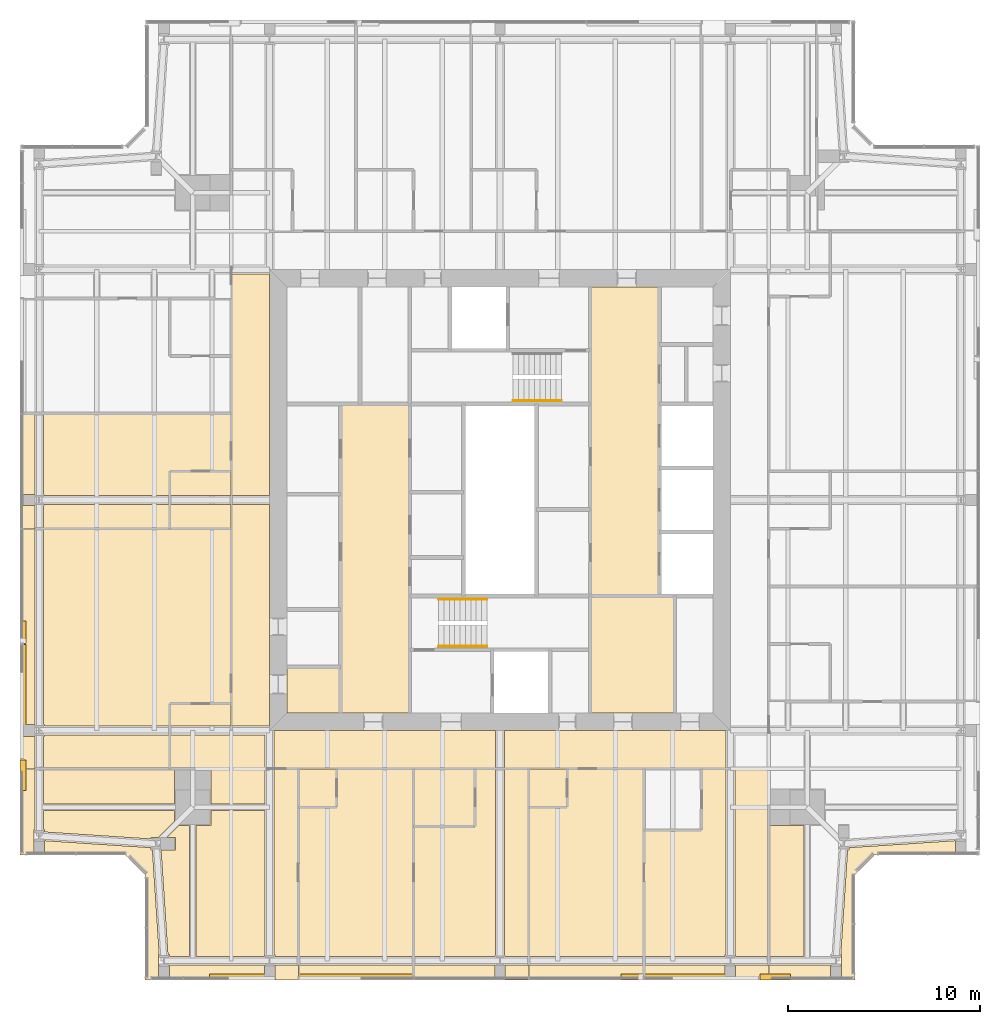
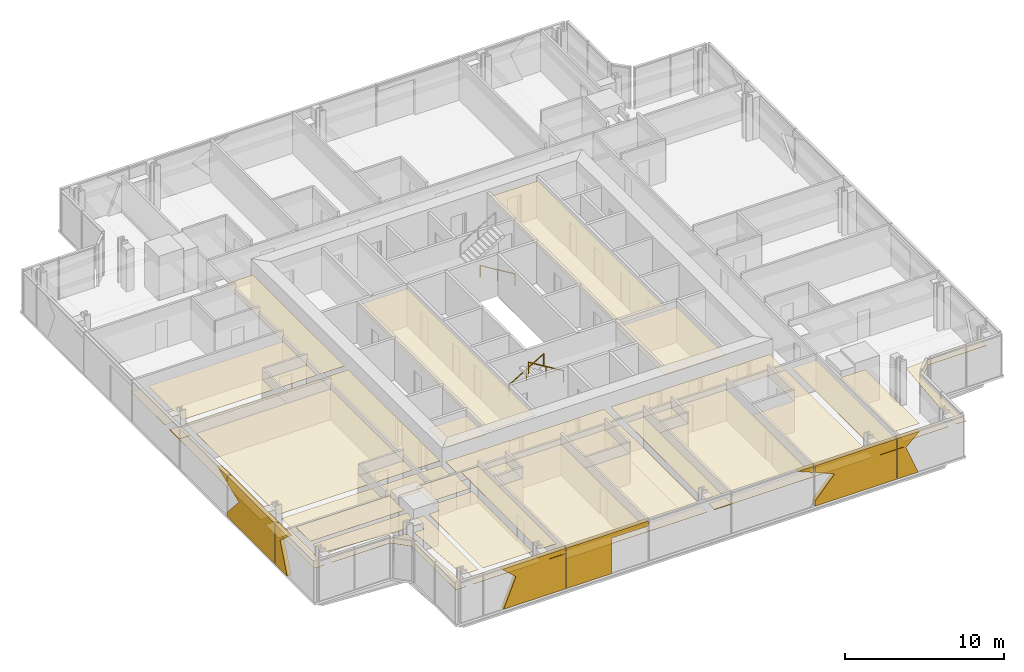
# One storey, part 16 of 18: 57 coverings, 3 railings.
"""IFC4 building model written with IfcOpenShell, lengths in metres."""

from ifc_helpers import new_model, si_unit, direction, frame, origin, origin_2d, place, context, subcontext, project, spatial, polyline, circle, outline, extrude, material, layer, layer_set, type_object, element, save


model = new_model("IFC4")

# Units and contexts
model_context = context("Model", 3, precision=1e-05, world=origin(), true_north=direction((0.0, 1.0)))
body_context = subcontext(model_context, "Body", "Model", "MODEL_VIEW")
ifc_project = project(units=[si_unit("LENGTHUNIT", "METRE"), si_unit("AREAUNIT", "SQUARE_METRE"), si_unit("VOLUMEUNIT", "CUBIC_METRE"), si_unit("PLANEANGLEUNIT", "RADIAN"), si_unit("MASSUNIT", "GRAM", prefix="KILO")], contexts=[model_context])

# Site, building, storey
site_placement = place(None, origin())
site = spatial("IfcSite", under=ifc_project, at=site_placement, CompositionType="ELEMENT")
building_placement = place(site_placement, origin())
building = spatial("IfcBuilding", under=site, at=building_placement, Name="Fenwick Lantern Interchange", CompositionType="ELEMENT")
storey_placement = place(building_placement, frame((0.0, 0.0, 293.39990234375)))
storey = spatial("IfcBuildingStorey", under=building, at=storey_placement, Name="L71", CompositionType="ELEMENT", Elevation=293.39990234375)

# Coverings
ifc_material_1 = material(Name="Granite cladding, warm grey flamed finish, on aluminium carrier frame", Category="masonry")
ifc_layer_1 = layer(ifc_material_1, 0.300048828125)
ifc_layer_set_1 = layer_set([ifc_layer_1], Name="BRACE CASING PANEL 300")
covering_type_1 = type_object("IfcCoveringType", Name="BRACE CASING PANEL 300", PredefinedType="CLADDING", material=ifc_layer_set_1)
covering_1_placement = place(storey_placement, frame((6.60009765625, 0.10009765625, 0.0), z_axis=(0.0, 0.0, 1.0), x_axis=(1.0, 0.0, 0.0)))
element("IfcCovering", 1, at=covering_1_placement, inside=storey, type_object=covering_type_1, Name="Brace casing 01 bay 01a", PredefinedType="CLADDING", context=body_context, shape_type="SweptSolid", body=[
    extrude(outline(polyline([(3.36328125, 0.0), (7.8701171875, 0.0), (7.8701171875, 3.10009765625), (3.260986328125, 3.10009765625), (4.258056640625, 2.193603515625), (3.36328125, 0.0)])), frame((0.0, 0.2099609375, 0.0), z_axis=(0.0, -1.0, 0.0), x_axis=(1.0, 0.0, 0.0)), (0.0, 0.0, 1.0), 0.300048828125),
])
covering_2_placement = place(storey_placement, frame((6.60009765625, 0.10009765625, 0.0), z_axis=(0.0, 0.0, 1.0), x_axis=(1.0, 0.0, 0.0)))
element("IfcCovering", 2, at=covering_2_placement, inside=storey, type_object=covering_type_1, Name="Brace casing 01 bay 02a", PredefinedType="CLADDING", context=body_context, shape_type="SweptSolid", body=[
    extrude(outline(polyline([(7.929931640625, 0.0), (11.193603515625, 0.0), (11.193603515625, 2.7265625), (13.8701171875, 2.7265625), (13.8701171875, 3.10009765625), (7.929931640625, 3.10009765625), (7.929931640625, 0.0)])), frame((0.0, 0.2099609375, 0.0), z_axis=(0.0, -1.0, 0.0), x_axis=(1.0, 0.0, 0.0)), (0.0, 0.0, 1.0), 0.300048828125),
])
covering_3_placement = place(storey_placement, frame((6.60009765625, 0.10009765625, 2.61669921875), z_axis=(0.0, 0.0, 1.0), x_axis=(1.0, 0.0, 0.0)))
element("IfcCovering", 3, at=covering_3_placement, inside=storey, type_object=covering_type_1, Name="Brace casing 01 bay 04a", PredefinedType="CLADDING", context=body_context, shape_type="SweptSolid", body=[
    extrude(outline(polyline([(25.8701171875, 0.0), (25.8701171875, 0.4833984375), (24.709716796875, 0.4833984375), (25.8701171875, 0.0)])), frame((0.0, 0.2099609375, 0.0), z_axis=(0.0, -1.0, 0.0), x_axis=(1.0, 0.0, 0.0)), (0.0, 0.0, 1.0), 0.300048828125),
])
covering_4_placement = place(storey_placement, frame((6.60009765625, 0.10009765625, 0.0), z_axis=(0.0, 0.0, 1.0), x_axis=(1.0, 0.0, 0.0)))
element("IfcCovering", 4, at=covering_4_placement, inside=storey, type_object=covering_type_1, Name="Brace casing 01 bay 05a", PredefinedType="CLADDING", context=body_context, shape_type="SweptSolid", body=[
    extrude(outline(polyline([(25.929931640625, 0.0), (31.8701171875, 0.0), (31.8701171875, 3.10009765625), (25.929931640625, 3.10009765625), (25.929931640625, 2.591552734375), (27.37646484375, 1.989013671875), (25.929931640625, 0.363525390625), (25.929931640625, 0.0)])), frame((0.0, 0.2099609375, 0.0), z_axis=(0.0, -1.0, 0.0), x_axis=(1.0, 0.0, 0.0)), (0.0, 0.0, 1.0), 0.300048828125),
])
covering_5_placement = place(storey_placement, frame((6.60009765625, 0.10009765625, 0.0), z_axis=(0.0, 0.0, 1.0), x_axis=(1.0, 0.0, 0.0)))
element("IfcCovering", 5, at=covering_5_placement, inside=storey, type_object=covering_type_1, Name="Brace casing 01 bay 06a", PredefinedType="CLADDING", context=body_context, shape_type="SweptSolid", body=[
    extrude(outline(polyline([(31.929931640625, 0.0), (33.4365234375, 0.0), (32.5419921875, 2.193603515625), (33.5390625, 3.10009765625), (31.929931640625, 3.10009765625), (31.929931640625, 0.0)])), frame((0.0, 0.2099609375, 0.0), z_axis=(0.0, -1.0, 0.0), x_axis=(1.0, 0.0, 0.0)), (0.0, 0.0, 1.0), 0.300048828125),
])
covering_6_placement = place(storey_placement, frame((0.10009765625, 43.39990234375, 2.61669921875), z_axis=(0.0, 0.0, 1.0), x_axis=(0.0, -1.0, 0.0)))
element("IfcCovering", 6, at=covering_6_placement, inside=storey, type_object=covering_type_1, Name="Brace casing 13 bay 04a", PredefinedType="CLADDING", context=body_context, shape_type="SweptSolid", body=[
    extrude(outline(polyline([(25.8701171875, 0.0), (25.8701171875, 0.4833984375), (24.709716796875, 0.4833984375), (25.8701171875, 0.0)])), frame((0.0, 0.2099609375, 0.0), z_axis=(0.0, -1.0, 0.0), x_axis=(1.0, 0.0, 0.0)), (0.0, 0.0, 1.0), 0.300048828125),
])
covering_7_placement = place(storey_placement, frame((0.10009765625, 43.39990234375, 0.0), z_axis=(0.0, 0.0, 1.0), x_axis=(0.0, -1.0, 0.0)))
element("IfcCovering", 7, at=covering_7_placement, inside=storey, type_object=covering_type_1, Name="Brace casing 13 bay 05a", PredefinedType="CLADDING", context=body_context, shape_type="SweptSolid", body=[
    extrude(outline(polyline([(25.929931640625, 0.0), (31.8701171875, 0.0), (31.8701171875, 3.10009765625), (25.929931640625, 3.10009765625), (25.929931640625, 2.591552734375), (27.37646484375, 1.989013671875), (25.929931640625, 0.363525390625), (25.929931640625, 0.0)])), frame((0.0, 0.2099609375, 0.0), z_axis=(0.0, -1.0, 0.0), x_axis=(1.0, 0.0, 0.0)), (0.0, 0.0, 1.0), 0.300048828125),
])
covering_8_placement = place(storey_placement, frame((0.10009765625, 43.39990234375, 0.0), z_axis=(0.0, 0.0, 1.0), x_axis=(0.0, -1.0, 0.0)))
element("IfcCovering", 8, at=covering_8_placement, inside=storey, type_object=covering_type_1, Name="Brace casing 13 bay 06a", PredefinedType="CLADDING", context=body_context, shape_type="SweptSolid", body=[
    extrude(outline(polyline([(31.929931640625, 0.0), (33.4365234375, 0.0), (32.5419921875, 2.193603515625), (33.5390625, 3.10009765625), (31.929931640625, 3.10009765625), (31.929931640625, 0.0)])), frame((0.0, 0.2099609375, 0.0), z_axis=(0.0, -1.0, 0.0), x_axis=(1.0, 0.0, 0.0)), (0.0, 0.0, 1.0), 0.300048828125),
])

# Railings
ifc_material_2 = material(Name="Stainless steel handrail", Category="steel")
railing_type = type_object("IfcRailingType", Name="HANDRAIL 900", PredefinedType="HANDRAIL", material=ifc_material_2)
railing_placement = place(storey_placement, frame((21.800048828125, 19.825927734375, 0.170166015625)))
element("IfcRailing", 9, at=railing_placement, inside=storey, type_object=railing_type, Name="L71/STAIR/ST1/HR1", PredefinedType="HANDRAIL", context=body_context, shape_type="SweptSolid", body=[
    extrude(circle(Radius=0.02392578125, at=origin_2d()), frame((0.0, 0.0, 0.8759765625), z_axis=(0.85478489116, 0.0, 0.518982456201), x_axis=(0.0, 1.0, 0.0)), (0.0, 0.0, 1.0), 2.9482421875),
    extrude(circle(Radius=0.02099609375, at=origin_2d()), origin(), (0.0, 0.0, 1.0), 0.851806640625),
    extrude(circle(Radius=0.02099609375, at=origin_2d()), frame((1.260009765625, 0.0, 0.76513671875)), (0.0, 0.0, 1.0), 0.851806640625),
    extrude(circle(Radius=0.02099609375, at=origin_2d()), frame((2.52001953125, 0.0, 1.530029296875)), (0.0, 0.0, 1.0), 0.851806640625),
])
for number, where, name in (
    (10, (24.320068359375, 17.3740234375, 1.8701171875), "L71/STAIR/ST1/HR2"),
    (11, (28.199951171875, 30.174072265625, 0.170166015625), "L71/STAIR/ST2/HR1"),
):
    element("IfcRailing", number, at=place(storey_placement, frame(where)), inside=storey, type_object=railing_type, Name=name, PredefinedType="HANDRAIL", context=body_context, shape_type="SweptSolid", body=[
        extrude(circle(Radius=0.02392578125, at=origin_2d()), frame((0.0, 0.0, 0.8759765625), z_axis=(-0.85478489116, 0.0, 0.518982456201), x_axis=(0.0, -1.0, 0.0)), (0.0, 0.0, 1.0), 2.9482421875),
        extrude(circle(Radius=0.02099609375, at=origin_2d()), origin(), (0.0, 0.0, 1.0), 0.851806640625),
        extrude(circle(Radius=0.02099609375, at=origin_2d()), frame((-1.260009765625, 0.0, 0.76513671875)), (0.0, 0.0, 1.0), 0.851806640625),
        extrude(circle(Radius=0.02099609375, at=origin_2d()), frame((-2.52001953125, 0.0, 1.530029296875)), (0.0, 0.0, 1.0), 0.851806640625),
    ])

# Coverings
ifc_material_3 = material(Name="Moisture resistant gypsum board on suspended frame, painted")
ifc_layer_2 = layer(ifc_material_3, 0.014892578125)
ifc_layer_set_2 = layer_set([ifc_layer_2], Name="MOISTURE RESISTANT CEILING 15")
covering_type_2 = type_object("IfcCoveringType", Name="MOISTURE RESISTANT CEILING 15", PredefinedType="CEILING", material=ifc_layer_set_2)
covering_9_placement = place(storey_placement, frame((0.0, 0.0, 2.60009765625)))
element("IfcCovering", 12, at=covering_9_placement, inside=storey, type_object=covering_type_2, Name="Women's WC ceiling", PredefinedType="CEILING", context=body_context, shape_type="SweptSolid", body=[
    extrude(outline(polyline([(29.699951171875, 13.89990234375), (34.10009765625, 13.89990234375), (34.10009765625, 20.0), (29.699951171875, 20.0), (29.699951171875, 13.89990234375)])), origin(), (0.0, 0.0, 1.0), 0.014892578125),
])
covering_10_placement = place(storey_placement, frame((0.0, 0.0, 2.60009765625)))
element("IfcCovering", 13, at=covering_10_placement, inside=storey, type_object=covering_type_2, Name="Accessible WC ceiling", PredefinedType="CEILING", context=body_context, shape_type="SweptSolid", body=[
    extrude(outline(polyline([(13.89990234375, 13.89990234375), (16.699951171875, 13.89990234375), (16.699951171875, 16.300048828125), (13.89990234375, 16.300048828125), (13.89990234375, 13.89990234375)])), origin(), (0.0, 0.0, 1.0), 0.014892578125),
])
covering_11_placement = place(storey_placement, frame((0.0, 0.0, 2.289306640625)))
element("IfcCovering", 14, at=covering_11_placement, inside=storey, type_object=covering_type_2, Name="Guest WC 7101 ceiling", PredefinedType="CEILING", context=body_context, shape_type="SweptSolid", body=[
    extrude(outline(polyline([(14.5, 9.0), (16.5, 9.0), (16.5, 11.0), (14.5, 11.0), (14.5, 9.0)])), origin(), (0.0, 0.0, 1.0), 0.014892578125),
])
covering_12_placement = place(storey_placement, frame((0.0, 0.0, 2.289306640625)))
element("IfcCovering", 15, at=covering_12_placement, inside=storey, type_object=covering_type_2, Name="En-suite 7101 ceiling", PredefinedType="CEILING", context=body_context, shape_type="SweptSolid", body=[
    extrude(outline(polyline([(20.5, 8.0), (23.699951171875, 8.0), (23.699951171875, 11.0), (20.5, 11.0), (20.5, 8.0)])), origin(), (0.0, 0.0, 1.0), 0.014892578125),
])
covering_13_placement = place(storey_placement, frame((0.0, 0.0, 2.289306640625)))
element("IfcCovering", 16, at=covering_13_placement, inside=storey, type_object=covering_type_2, Name="Guest WC 7102 ceiling", PredefinedType="CEILING", context=body_context, shape_type="SweptSolid", body=[
    extrude(outline(polyline([(26.5, 9.0), (28.5, 9.0), (28.5, 11.0), (26.5, 11.0), (26.5, 9.0)])), origin(), (0.0, 0.0, 1.0), 0.014892578125),
])
covering_14_placement = place(storey_placement, frame((0.0, 0.0, 2.289306640625)))
element("IfcCovering", 17, at=covering_14_placement, inside=storey, type_object=covering_type_2, Name="En-suite 7111 ceiling", PredefinedType="CEILING", context=body_context, shape_type="SweptSolid", body=[
    extrude(outline(polyline([(11.0, 23.5), (11.0, 24.775634765625), (7.800048828125, 24.775634765625), (7.800048828125, 23.5), (11.0, 23.5)])), origin(), (0.0, 0.0, 1.0), 0.014892578125),
])
covering_15_placement = place(storey_placement, frame((0.0, 0.0, 2.289306640625)))
element("IfcCovering", 18, at=covering_15_placement, inside=storey, type_object=covering_type_2, Name="En-suite 7111 ceiling", PredefinedType="CEILING", context=body_context, shape_type="SweptSolid", body=[
    extrude(outline(polyline([(7.800048828125, 26.5), (7.800048828125, 25.224365234375), (11.0, 25.224365234375), (11.0, 26.5), (7.800048828125, 26.5)])), origin(), (0.0, 0.0, 1.0), 0.014892578125),
])
covering_16_placement = place(storey_placement, frame((0.0, 0.0, 2.289306640625)))
element("IfcCovering", 19, at=covering_16_placement, inside=storey, type_object=covering_type_2, Name="En-suite 7112 ceiling", PredefinedType="CEILING", context=body_context, shape_type="SweptSolid", body=[
    extrude(outline(polyline([(11.0, 11.0), (11.0, 12.767822265625), (7.800048828125, 12.767822265625), (7.800048828125, 11.0), (11.0, 11.0)])), origin(), (0.0, 0.0, 1.0), 0.014892578125),
])
covering_17_placement = place(storey_placement, frame((0.0, 0.0, 2.289306640625)))
element("IfcCovering", 20, at=covering_17_placement, inside=storey, type_object=covering_type_2, Name="En-suite 7112 ceiling", PredefinedType="CEILING", context=body_context, shape_type="SweptSolid", body=[
    extrude(outline(polyline([(7.800048828125, 14.39990234375), (7.800048828125, 13.232177734375), (11.0, 13.232177734375), (11.0, 14.39990234375), (7.800048828125, 14.39990234375)])), origin(), (0.0, 0.0, 1.0), 0.014892578125),
])
ifc_material_4 = material(Name="Gypsum plasterboard on suspended frame, painted")
ifc_layer_3 = layer(ifc_material_4, 0.014892578125)
ifc_layer_set_3 = layer_set([ifc_layer_3], Name="PLASTERBOARD CEILING 15")
covering_type_3 = type_object("IfcCoveringType", Name="PLASTERBOARD CEILING 15", PredefinedType="CEILING", material=ifc_layer_set_3)
covering_18_placement = place(storey_placement, frame((0.0, 0.0, 2.800048828125)))
element("IfcCovering", 21, at=covering_18_placement, inside=storey, type_object=covering_type_3, Name="Lift lobby ceiling", PredefinedType="CEILING", context=body_context, shape_type="SweptSolid", body=[
    extrude(outline(polyline([(16.699951171875, 13.89990234375), (20.300048828125, 13.89990234375), (20.300048828125, 30.0), (16.699951171875, 30.0), (16.699951171875, 13.89990234375)])), origin(), (0.0, 0.0, 1.0), 0.01513671875),
])
covering_19_placement = place(storey_placement, frame((0.0, 0.0, 2.800048828125)))
element("IfcCovering", 22, at=covering_19_placement, inside=storey, type_object=covering_type_3, Name="Lift lobby ceiling", PredefinedType="CEILING", context=body_context, shape_type="SweptSolid", body=[
    extrude(outline(polyline([(33.300048828125, 36.10009765625), (29.699951171875, 36.10009765625), (29.699951171875, 20.0), (33.300048828125, 20.0), (33.300048828125, 36.10009765625)])), origin(), (0.0, 0.0, 1.0), 0.01513671875),
])
covering_20_placement = place(storey_placement, frame((0.0, 0.0, 2.289306640625)))
element("IfcCovering", 23, at=covering_20_placement, inside=storey, type_object=covering_type_3, Name="Corridor ceiling", PredefinedType="CEILING", context=body_context, shape_type="SweptSolid", body=[
    extrude(outline(polyline([(11.0, 24.775634765625), (11.0, 13.232177734375), (13.0, 13.232177734375), (13.0, 24.775634765625), (11.0, 24.775634765625)])), origin(), (0.0, 0.0, 1.0), 0.014892578125),
])
covering_21_placement = place(storey_placement, frame((0.0, 0.0, 2.289306640625)))
element("IfcCovering", 24, at=covering_21_placement, inside=storey, type_object=covering_type_3, Name="Corridor ceiling", PredefinedType="CEILING", context=body_context, shape_type="SweptSolid", body=[
    extrude(outline(polyline([(11.0, 36.767822265625), (11.0, 25.224365234375), (13.0, 25.224365234375), (13.0, 36.767822265625), (11.0, 36.767822265625)])), origin(), (0.0, 0.0, 1.0), 0.014892578125),
])
covering_22_placement = place(storey_placement, frame((0.0, 0.0, 2.289306640625)))
element("IfcCovering", 25, at=covering_22_placement, inside=storey, type_object=covering_type_3, Name="Corridor ceiling", PredefinedType="CEILING", context=body_context, shape_type="SweptSolid", body=[
    extrude(outline(polyline([(13.232177734375, 11.0), (24.767822265625, 11.0), (24.767822265625, 13.0), (13.232177734375, 13.0), (13.232177734375, 11.0)])), origin(), (0.0, 0.0, 1.0), 0.014892578125),
])
covering_23_placement = place(storey_placement, frame((0.0, 0.0, 2.289306640625)))
element("IfcCovering", 26, at=covering_23_placement, inside=storey, type_object=covering_type_3, Name="Corridor ceiling", PredefinedType="CEILING", context=body_context, shape_type="SweptSolid", body=[
    extrude(outline(polyline([(25.232177734375, 11.0), (36.767822265625, 11.0), (36.767822265625, 13.0), (25.232177734375, 13.0), (25.232177734375, 11.0)])), origin(), (0.0, 0.0, 1.0), 0.014892578125),
])
covering_24_placement = place(storey_placement, frame((0.0, 0.0, 2.289306640625)))
element("IfcCovering", 27, at=covering_24_placement, inside=storey, type_object=covering_type_3, Name="Corridor ceiling", PredefinedType="CEILING", context=body_context, shape_type="SweptSolid", body=[
    extrude(outline(polyline([(11.0, 11.0), (12.767822265625, 11.0), (12.767822265625, 12.767822265625), (11.0, 12.767822265625), (11.0, 11.0)])), origin(), (0.0, 0.0, 1.0), 0.014892578125),
])
covering_25_placement = place(storey_placement, frame((0.0, 0.0, 2.7001953125)))
element("IfcCovering", 28, at=covering_25_placement, inside=storey, type_object=covering_type_3, Name="Presidential suite sitting room ceiling", PredefinedType="CEILING", context=body_context, shape_type="SweptSolid", body=[
    extrude(outline(polyline([(9.949951171875, 8.050048828125), (9.166015625, 8.050048828125), (9.166015625, 1.224365234375), (12.72900390625, 1.224365234375), (12.72900390625, 1.3154296875), (12.767822265625, 1.3154296875), (12.767822265625, 8.833984375), (9.949951171875, 8.833984375), (9.949951171875, 8.050048828125)])), origin(), (0.0, 0.0, 1.0), 0.014892578125),
])
covering_26_placement = place(storey_placement, frame((0.0, 0.0, 2.7001953125)))
element("IfcCovering", 29, at=covering_26_placement, inside=storey, type_object=covering_type_3, Name="Presidential suite sitting room ceiling", PredefinedType="CEILING", context=body_context, shape_type="SweptSolid", body=[
    extrude(outline(polyline([(8.050048828125, 9.166015625), (8.050048828125, 11.0), (1.224365234375, 11.0), (1.224365234375, 9.166015625), (8.050048828125, 9.166015625)])), origin(), (0.0, 0.0, 1.0), 0.014892578125),
])
covering_27_placement = place(storey_placement, frame((0.0, 0.0, 2.7001953125)))
element("IfcCovering", 30, at=covering_27_placement, inside=storey, type_object=covering_type_3, Name="Presidential suite sitting room ceiling", PredefinedType="CEILING", context=body_context, shape_type="SweptSolid", body=[
    extrude(outline(polyline([(14.5, 11.0), (13.232177734375, 11.0), (13.232177734375, 1.3154296875), (13.27099609375, 1.3154296875), (13.27099609375, 1.224365234375), (14.5, 1.224365234375), (14.5, 11.0)])), origin(), (0.0, 0.0, 1.0), 0.014892578125),
])
covering_28_placement = place(storey_placement, frame((0.0, 0.0, 2.7001953125)))
element("IfcCovering", 31, at=covering_28_placement, inside=storey, type_object=covering_type_3, Name="Presidential suite sitting room ceiling", PredefinedType="CEILING", context=body_context, shape_type="SweptSolid", body=[
    extrude(outline(polyline([(8.050048828125, 8.266845703125), (8.050048828125, 8.833984375), (1.224365234375, 8.833984375), (1.224365234375, 7.83447265625), (1.27734375, 7.83447265625), (1.27734375, 7.706787109375), (6.82275390625, 7.343017578125), (6.82275390625, 7.4345703125), (7.217529296875, 7.4345703125), (8.050048828125, 8.266845703125)])), origin(), (0.0, 0.0, 1.0), 0.014892578125),
])
covering_29_placement = place(storey_placement, frame((0.0, 0.0, 2.7001953125)))
element("IfcCovering", 32, at=covering_29_placement, inside=storey, type_object=covering_type_3, Name="Presidential suite sitting room ceiling", PredefinedType="CEILING", context=body_context, shape_type="SweptSolid", body=[
    extrude(outline(polyline([(8.833984375, 8.050048828125), (8.266845703125, 8.050048828125), (7.6513671875, 7.4345703125), (8.10009765625, 7.4345703125), (8.10009765625, 6.765625), (7.346923828125, 6.765625), (7.703125, 1.33447265625), (7.77734375, 1.33447265625), (7.77734375, 1.224365234375), (8.833984375, 1.224365234375), (8.833984375, 8.050048828125)])), origin(), (0.0, 0.0, 1.0), 0.014892578125),
])
covering_30_placement = place(storey_placement, frame((0.0, 0.0, 2.7001953125)))
element("IfcCovering", 33, at=covering_30_placement, inside=storey, type_object=covering_type_3, Name="Presidential suite sitting room ceiling", PredefinedType="CEILING", context=body_context, shape_type="SweptSolid", body=[
    extrude(outline(polyline([(7.22265625, 1.33447265625), (7.253173828125, 1.33447265625), (6.89697265625, 6.765625), (6.82275390625, 6.765625), (6.82275390625, 6.893310546875), (1.27734375, 7.2568359375), (1.27734375, 6.5), (5.5, 6.5), (6.5, 5.5), (6.5, 0.0), (7.22265625, 0.0), (7.22265625, 1.33447265625)])), origin(), (0.0, 0.0, 1.0), 0.014892578125),
])
covering_31_placement = place(storey_placement, frame((0.0, 0.0, 2.7001953125)))
element("IfcCovering", 34, at=covering_31_placement, inside=storey, type_object=covering_type_3, Name="Presidential suite sitting room ceiling", PredefinedType="CEILING", context=body_context, shape_type="SweptSolid", body=[
    extrude(outline(polyline([(9.949951171875, 11.0), (9.949951171875, 9.166015625), (12.767822265625, 9.166015625), (12.767822265625, 11.0), (9.949951171875, 11.0)])), origin(), (0.0, 0.0, 1.0), 0.014892578125),
])
covering_32_placement = place(storey_placement, frame((0.0, 0.0, 2.7001953125)))
element("IfcCovering", 35, at=covering_32_placement, inside=storey, type_object=covering_type_3, Name="Presidential suite sitting room ceiling", PredefinedType="CEILING", context=body_context, shape_type="SweptSolid", body=[
    extrude(outline(polyline([(12.72900390625, 0.0), (12.72900390625, 0.775634765625), (7.77734375, 0.775634765625), (7.77734375, 0.0), (12.72900390625, 0.0)])), origin(), (0.0, 0.0, 1.0), 0.014892578125),
])
covering_33_placement = place(storey_placement, frame((0.0, 0.0, 2.7001953125)))
element("IfcCovering", 36, at=covering_33_placement, inside=storey, type_object=covering_type_3, Name="Presidential suite sitting room ceiling", PredefinedType="CEILING", context=body_context, shape_type="SweptSolid", body=[
    extrude(outline(polyline([(0.72265625, 7.83447265625), (0.775634765625, 7.83447265625), (0.775634765625, 11.0), (0.0, 11.0), (0.0, 6.5), (0.72265625, 6.5), (0.72265625, 7.83447265625)])), origin(), (0.0, 0.0, 1.0), 0.014892578125),
])
covering_34_placement = place(storey_placement, frame((0.0, 0.0, 2.7001953125)))
element("IfcCovering", 37, at=covering_34_placement, inside=storey, type_object=covering_type_3, Name="Presidential suite sitting room ceiling", PredefinedType="CEILING", context=body_context, shape_type="SweptSolid", body=[
    extrude(outline(polyline([(14.5, 0.0), (14.5, 0.775634765625), (13.27099609375, 0.775634765625), (13.27099609375, 0.0), (14.5, 0.0)])), origin(), (0.0, 0.0, 1.0), 0.014892578125),
])
covering_35_placement = place(storey_placement, frame((0.0, 0.0, 2.289306640625)))
element("IfcCovering", 38, at=covering_35_placement, inside=storey, type_object=covering_type_3, Name="Presidential suite dining room ceiling", PredefinedType="CEILING", context=body_context, shape_type="SweptSolid", body=[
    extrude(outline(polyline([(20.5, 1.224365234375), (20.5, 11.0), (16.5, 11.0), (16.5, 9.0), (14.5, 9.0), (14.5, 1.224365234375), (20.5, 1.224365234375)])), origin(), (0.0, 0.0, 1.0), 0.014892578125),
])
covering_36_placement = place(storey_placement, frame((0.0, 0.0, 2.289306640625)))
element("IfcCovering", 39, at=covering_36_placement, inside=storey, type_object=covering_type_3, Name="Presidential suite dining room ceiling", PredefinedType="CEILING", context=body_context, shape_type="SweptSolid", body=[
    extrude(outline(polyline([(20.5, 0.0), (20.5, 0.775634765625), (14.5, 0.775634765625), (14.5, 0.0), (20.5, 0.0)])), origin(), (0.0, 0.0, 1.0), 0.014892578125),
])
covering_37_placement = place(storey_placement, frame((0.0, 0.0, 2.289306640625)))
element("IfcCovering", 40, at=covering_37_placement, inside=storey, type_object=covering_type_3, Name="Presidential suite bedroom ceiling", PredefinedType="CEILING", context=body_context, shape_type="SweptSolid", body=[
    extrude(outline(polyline([(24.73779296875, 1.28759765625), (24.767822265625, 1.28759765625), (24.767822265625, 11.0), (23.699951171875, 11.0), (23.699951171875, 8.0), (20.5, 8.0), (20.5, 1.224365234375), (24.73779296875, 1.224365234375), (24.73779296875, 1.28759765625)])), origin(), (0.0, 0.0, 1.0), 0.014892578125),
])
covering_38_placement = place(storey_placement, frame((0.0, 0.0, 2.289306640625)))
element("IfcCovering", 41, at=covering_38_placement, inside=storey, type_object=covering_type_3, Name="Presidential suite bedroom ceiling", PredefinedType="CEILING", context=body_context, shape_type="SweptSolid", body=[
    extrude(outline(polyline([(25.26220703125, 1.28759765625), (25.26220703125, 1.224365234375), (26.5, 1.224365234375), (26.5, 11.0), (25.232177734375, 11.0), (25.232177734375, 1.28759765625), (25.26220703125, 1.28759765625)])), origin(), (0.0, 0.0, 1.0), 0.014892578125),
])
covering_39_placement = place(storey_placement, frame((0.0, 0.0, 2.289306640625)))
element("IfcCovering", 42, at=covering_39_placement, inside=storey, type_object=covering_type_3, Name="Presidential suite bedroom ceiling", PredefinedType="CEILING", context=body_context, shape_type="SweptSolid", body=[
    extrude(outline(polyline([(24.73779296875, 0.0), (24.73779296875, 0.775634765625), (20.5, 0.775634765625), (20.5, 0.0), (24.73779296875, 0.0)])), origin(), (0.0, 0.0, 1.0), 0.014892578125),
])
covering_40_placement = place(storey_placement, frame((0.0, 0.0, 2.289306640625)))
element("IfcCovering", 43, at=covering_40_placement, inside=storey, type_object=covering_type_3, Name="Presidential suite bedroom ceiling", PredefinedType="CEILING", context=body_context, shape_type="SweptSolid", body=[
    extrude(outline(polyline([(25.26220703125, 0.0), (26.5, 0.0), (26.5, 0.775634765625), (25.26220703125, 0.775634765625), (25.26220703125, 0.0)])), origin(), (0.0, 0.0, 1.0), 0.014892578125),
])
covering_41_placement = place(storey_placement, frame((0.0, 0.0, 2.289306640625)))
element("IfcCovering", 44, at=covering_41_placement, inside=storey, type_object=covering_type_3, Name="Guest suite 7102 sitting room ceiling", PredefinedType="CEILING", context=body_context, shape_type="SweptSolid", body=[
    extrude(outline(polyline([(32.5, 1.224365234375), (32.5, 11.0), (28.5, 11.0), (28.5, 9.0), (26.5, 9.0), (26.5, 1.224365234375), (32.5, 1.224365234375)])), origin(), (0.0, 0.0, 1.0), 0.014892578125),
])
covering_42_placement = place(storey_placement, frame((0.0, 0.0, 2.289306640625)))
element("IfcCovering", 45, at=covering_42_placement, inside=storey, type_object=covering_type_3, Name="Guest suite 7102 sitting room ceiling", PredefinedType="CEILING", context=body_context, shape_type="SweptSolid", body=[
    extrude(outline(polyline([(32.5, 0.0), (32.5, 0.775634765625), (26.5, 0.775634765625), (26.5, 0.0), (32.5, 0.0)])), origin(), (0.0, 0.0, 1.0), 0.014892578125),
])
covering_43_placement = place(storey_placement, frame((0.0, 0.0, 2.289306640625)))
element("IfcCovering", 46, at=covering_43_placement, inside=storey, type_object=covering_type_3, Name="Guest suite 7102 bedroom ceiling", PredefinedType="CEILING", context=body_context, shape_type="SweptSolid", body=[
    extrude(outline(polyline([(36.72900390625, 1.3154296875), (36.767822265625, 1.3154296875), (36.767822265625, 11.0), (35.5, 11.0), (35.5, 7.800048828125), (32.5, 7.800048828125), (32.5, 1.224365234375), (36.72900390625, 1.224365234375), (36.72900390625, 1.3154296875)])), origin(), (0.0, 0.0, 1.0), 0.014892578125),
])
covering_44_placement = place(storey_placement, frame((0.0, 0.0, 2.289306640625)))
element("IfcCovering", 47, at=covering_44_placement, inside=storey, type_object=covering_type_3, Name="Guest suite 7102 bedroom ceiling", PredefinedType="CEILING", context=body_context, shape_type="SweptSolid", body=[
    extrude(outline(polyline([(37.27099609375, 1.3154296875), (37.27099609375, 1.224365234375), (39.0, 1.224365234375), (39.0, 11.0), (37.232177734375, 11.0), (37.232177734375, 1.3154296875), (37.27099609375, 1.3154296875)])), origin(), (0.0, 0.0, 1.0), 0.014892578125),
])
covering_45_placement = place(storey_placement, frame((0.0, 0.0, 2.289306640625)))
element("IfcCovering", 48, at=covering_45_placement, inside=storey, type_object=covering_type_3, Name="Guest suite 7102 bedroom ceiling", PredefinedType="CEILING", context=body_context, shape_type="SweptSolid", body=[
    extrude(outline(polyline([(36.72900390625, 0.0), (36.72900390625, 0.775634765625), (32.5, 0.775634765625), (32.5, 0.0), (36.72900390625, 0.0)])), origin(), (0.0, 0.0, 1.0), 0.014892578125),
])
covering_46_placement = place(storey_placement, frame((0.0, 0.0, 2.289306640625)))
element("IfcCovering", 49, at=covering_46_placement, inside=storey, type_object=covering_type_3, Name="Guest suite 7102 bedroom ceiling", PredefinedType="CEILING", context=body_context, shape_type="SweptSolid", body=[
    extrude(outline(polyline([(37.27099609375, 0.0), (39.0, 0.0), (39.0, 0.775634765625), (37.27099609375, 0.775634765625), (37.27099609375, 0.0)])), origin(), (0.0, 0.0, 1.0), 0.014892578125),
])
covering_47_placement = place(storey_placement, frame((0.0, 0.0, 2.7001953125)))
element("IfcCovering", 50, at=covering_47_placement, inside=storey, type_object=covering_type_3, Name="Guest suite 7103 sitting room ceiling", PredefinedType="CEILING", context=body_context, shape_type="SweptSolid", body=[
    extrude(outline(polyline([(39.0, 8.050048828125), (39.0, 1.224365234375), (40.833984375, 1.224365234375), (40.833984375, 8.050048828125), (39.0, 8.050048828125)])), origin(), (0.0, 0.0, 1.0), 0.014892578125),
])
covering_48_placement = place(storey_placement, frame((0.0, 0.0, 2.7001953125)))
element("IfcCovering", 51, at=covering_48_placement, inside=storey, type_object=covering_type_3, Name="Guest suite 7103 sitting room ceiling", PredefinedType="CEILING", context=body_context, shape_type="SweptSolid", body=[
    extrude(outline(polyline([(42.746826171875, 1.33447265625), (42.77734375, 1.33447265625), (42.77734375, 0.0), (43.5, 0.0), (43.5, 5.5), (44.5, 6.5), (48.72265625, 6.5), (48.72265625, 7.2568359375), (43.17724609375, 6.893310546875), (43.17724609375, 6.765625), (43.10302734375, 6.765625), (42.746826171875, 1.33447265625)])), origin(), (0.0, 0.0, 1.0), 0.014892578125),
])
covering_49_placement = place(storey_placement, frame((0.0, 0.0, 2.7001953125)))
element("IfcCovering", 52, at=covering_49_placement, inside=storey, type_object=covering_type_3, Name="Guest suite 7103 sitting room ceiling", PredefinedType="CEILING", context=body_context, shape_type="SweptSolid", body=[
    extrude(outline(polyline([(42.22265625, 0.0), (42.22265625, 0.775634765625), (39.0, 0.775634765625), (39.0, 0.0), (42.22265625, 0.0)])), origin(), (0.0, 0.0, 1.0), 0.014892578125),
])
covering_50_placement = place(storey_placement, frame((0.0, 0.0, 2.289306640625)))
element("IfcCovering", 53, at=covering_50_placement, inside=storey, type_object=covering_type_3, Name="Guest room 7111 ceiling", PredefinedType="CEILING", context=body_context, shape_type="SweptSolid", body=[
    extrude(outline(polyline([(1.26220703125, 25.28759765625), (1.26220703125, 25.224365234375), (7.800048828125, 25.224365234375), (7.800048828125, 26.5), (11.0, 26.5), (11.0, 29.5), (1.224365234375, 29.5), (1.224365234375, 25.28759765625), (1.26220703125, 25.28759765625)])), origin(), (0.0, 0.0, 1.0), 0.014892578125),
])
covering_51_placement = place(storey_placement, frame((0.0, 0.0, 2.289306640625)))
element("IfcCovering", 54, at=covering_51_placement, inside=storey, type_object=covering_type_3, Name="Guest room 7111 ceiling", PredefinedType="CEILING", context=body_context, shape_type="SweptSolid", body=[
    extrude(outline(polyline([(1.26220703125, 24.71240234375), (1.224365234375, 24.71240234375), (1.224365234375, 23.5), (7.800048828125, 23.5), (7.800048828125, 24.775634765625), (1.26220703125, 24.775634765625), (1.26220703125, 24.71240234375)])), origin(), (0.0, 0.0, 1.0), 0.014892578125),
])
covering_52_placement = place(storey_placement, frame((0.0, 0.0, 2.289306640625)))
element("IfcCovering", 55, at=covering_52_placement, inside=storey, type_object=covering_type_3, Name="Guest room 7111 ceiling", PredefinedType="CEILING", context=body_context, shape_type="SweptSolid", body=[
    extrude(outline(polyline([(0.0, 25.28759765625), (0.775634765625, 25.28759765625), (0.775634765625, 29.5), (0.0, 29.5), (0.0, 25.28759765625)])), origin(), (0.0, 0.0, 1.0), 0.014892578125),
])
covering_53_placement = place(storey_placement, frame((0.0, 0.0, 2.289306640625)))
element("IfcCovering", 56, at=covering_53_placement, inside=storey, type_object=covering_type_3, Name="Guest room 7111 ceiling", PredefinedType="CEILING", context=body_context, shape_type="SweptSolid", body=[
    extrude(outline(polyline([(0.775634765625, 24.71240234375), (0.0, 24.71240234375), (0.0, 23.5), (0.775634765625, 23.5), (0.775634765625, 24.71240234375)])), origin(), (0.0, 0.0, 1.0), 0.014892578125),
])
covering_54_placement = place(storey_placement, frame((0.0, 0.0, 2.289306640625)))
element("IfcCovering", 57, at=covering_54_placement, inside=storey, type_object=covering_type_3, Name="Guest suite 7112 ceiling", PredefinedType="CEILING", context=body_context, shape_type="SweptSolid", body=[
    extrude(outline(polyline([(1.27099609375, 13.3154296875), (1.27099609375, 13.232177734375), (7.800048828125, 13.232177734375), (7.800048828125, 14.39990234375), (11.0, 14.39990234375), (11.0, 23.5), (1.224365234375, 23.5), (1.224365234375, 13.3154296875), (1.27099609375, 13.3154296875)])), origin(), (0.0, 0.0, 1.0), 0.014892578125),
])
covering_55_placement = place(storey_placement, frame((0.0, 0.0, 2.289306640625)))
element("IfcCovering", 58, at=covering_55_placement, inside=storey, type_object=covering_type_3, Name="Guest suite 7112 ceiling", PredefinedType="CEILING", context=body_context, shape_type="SweptSolid", body=[
    extrude(outline(polyline([(1.27099609375, 12.6845703125), (1.224365234375, 12.6845703125), (1.224365234375, 11.0), (7.800048828125, 11.0), (7.800048828125, 12.767822265625), (1.27099609375, 12.767822265625), (1.27099609375, 12.6845703125)])), origin(), (0.0, 0.0, 1.0), 0.014892578125),
])
covering_56_placement = place(storey_placement, frame((0.0, 0.0, 2.289306640625)))
element("IfcCovering", 59, at=covering_56_placement, inside=storey, type_object=covering_type_3, Name="Guest suite 7112 ceiling", PredefinedType="CEILING", context=body_context, shape_type="SweptSolid", body=[
    extrude(outline(polyline([(0.0, 13.3154296875), (0.775634765625, 13.3154296875), (0.775634765625, 23.5), (0.0, 23.5), (0.0, 13.3154296875)])), origin(), (0.0, 0.0, 1.0), 0.014892578125),
])
covering_57_placement = place(storey_placement, frame((0.0, 0.0, 2.289306640625)))
element("IfcCovering", 60, at=covering_57_placement, inside=storey, type_object=covering_type_3, Name="Guest suite 7112 ceiling", PredefinedType="CEILING", context=body_context, shape_type="SweptSolid", body=[
    extrude(outline(polyline([(0.775634765625, 12.6845703125), (0.0, 12.6845703125), (0.0, 11.0), (0.775634765625, 11.0), (0.775634765625, 12.6845703125)])), origin(), (0.0, 0.0, 1.0), 0.014892578125),
])

save(model, "model.ifc")
